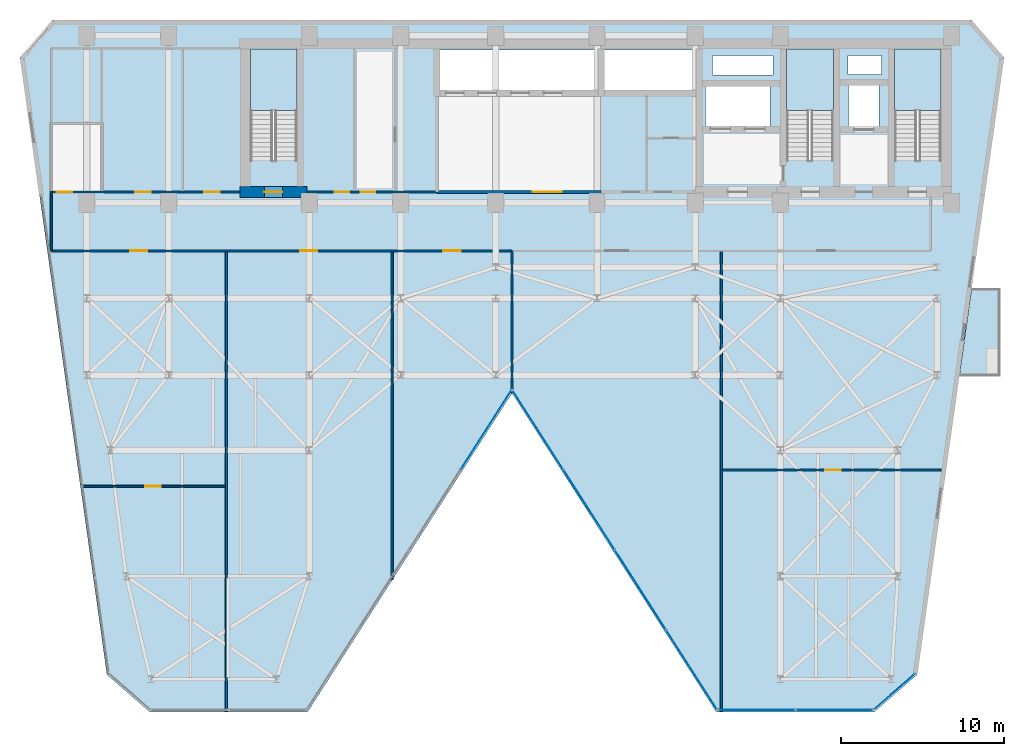
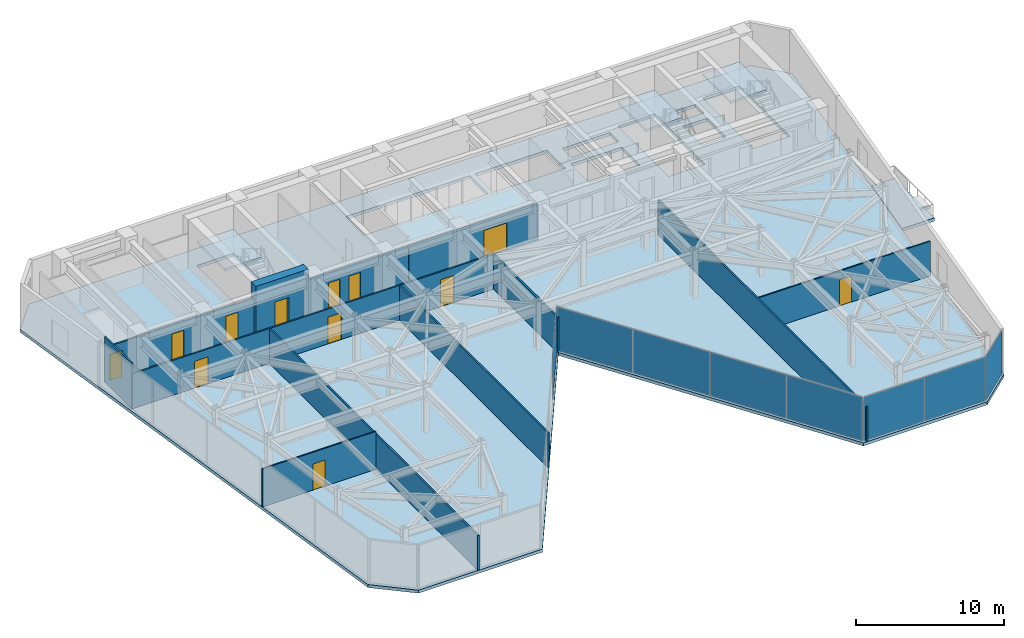
# One storey, part 21 of 26: 12 doors, 12 walls, 8 plates, 5 slabs, 12 openings, 7 elements without a shape of their own.
"""IFC4 building model written with IfcOpenShell, lengths in metres."""

from ifc_helpers import new_model, si_unit, direction, frame, frame_2d, origin, origin_2d, place, context, subcontext, project, spatial, polyline, rectangle, outline, extrude, material, layer, layer_set, type_object, element, fill, aggregate, save


model = new_model("IFC4")

# Units and contexts
model_context = context("Model", 3, precision=1e-05, world=origin(), true_north=direction((0.0, 1.0)))
body_context = subcontext(model_context, "Body", "Model", "MODEL_VIEW")
ifc_project = project(units=[si_unit("LENGTHUNIT", "METRE"), si_unit("AREAUNIT", "SQUARE_METRE"), si_unit("VOLUMEUNIT", "CUBIC_METRE"), si_unit("PLANEANGLEUNIT", "RADIAN"), si_unit("MASSUNIT", "GRAM", prefix="KILO")], contexts=[model_context])

# Site, building, storey
site_placement = place(None, origin())
site = spatial("IfcSite", under=ifc_project, at=site_placement, CompositionType="ELEMENT")
building_placement = place(site_placement, origin())
building = spatial("IfcBuilding", under=site, at=building_placement, Name="Kravanh Interchange Tower", CompositionType="ELEMENT")
storey_placement = place(building_placement, frame((0.0, 0.0, 152.0)))
storey = spatial("IfcBuildingStorey", under=building, at=storey_placement, Name="L36", CompositionType="ELEMENT", Elevation=152.0)

# Slab
ifc_material_1 = material(Name="Concrete C50/60", Category="concrete")
ifc_layer_1 = layer(ifc_material_1, 0.25)
ifc_layer_set_1 = layer_set([ifc_layer_1], Name="Composite Floor Slab Concrete C50/60 250mm")
slab_type_1 = type_object("IfcSlabType", Name="Composite Floor Slab Concrete C50/60 250mm", PredefinedType="FLOOR", material=ifc_layer_set_1)
slab_1_placement = place(storey_placement, frame((0.0, 0.0, -0.25)))
element("IfcSlab", 1, at=slab_1_placement, inside=storey, type_object=slab_type_1, Name="L36 Structural Floor Slab", PredefinedType="FLOOR", context=body_context, shape_type="SweptSolid", body=[
    extrude(outline(polyline([(14.82470703125, 8.4775390625), (17.44482421875, 6.199951171875), (27.10009765625, 6.199951171875), (39.60009765625, 25.699951171875), (52.10009765625, 6.199951171875), (61.755126953125, 6.199951171875), (64.375244140625, 8.4775390625), (69.679931640625, 46.222412109375), (67.699951171875, 48.5), (11.5, 48.5), (9.52001953125, 46.222412109375), (14.82470703125, 8.4775390625)]), holes=[polyline([(65.85009765625, 39.925048828125), (65.85009765625, 46.75), (63.0, 46.75), (63.0, 39.925048828125), (65.85009765625, 39.925048828125)]), polyline([(59.25, 39.925048828125), (59.25, 46.75), (56.39990234375, 46.75), (56.39990234375, 39.925048828125), (59.25, 39.925048828125)]), polyline([(26.449951171875, 39.925048828125), (26.449951171875, 46.75), (23.60009765625, 46.75), (23.60009765625, 39.925048828125), (26.449951171875, 39.925048828125)]), polyline([(35.179931640625, 44.219970703125), (44.840087890625, 44.219970703125), (44.840087890625, 46.699951171875), (35.179931640625, 46.699951171875), (35.179931640625, 44.219970703125)]), polyline([(45.239990234375, 44.219970703125), (50.840087890625, 44.219970703125), (50.840087890625, 46.699951171875), (45.239990234375, 46.699951171875), (45.239990234375, 44.219970703125)]), polyline([(51.419921875, 42.02001953125), (55.3798828125, 42.02001953125), (55.3798828125, 44.47998046875), (51.419921875, 44.47998046875), (51.419921875, 42.02001953125)]), polyline([(60.179931640625, 41.97998046875), (62.06005859375, 41.97998046875), (62.06005859375, 44.52001953125), (60.179931640625, 44.52001953125), (60.179931640625, 41.97998046875)]), polyline([(60.14990234375, 45.199951171875), (62.199951171875, 45.199951171875), (62.199951171875, 46.35009765625), (60.14990234375, 46.35009765625), (60.14990234375, 45.199951171875)]), polyline([(51.85009765625, 45.14990234375), (55.550048828125, 45.14990234375), (55.550048828125, 46.35009765625), (51.85009765625, 46.35009765625), (51.85009765625, 45.14990234375)])]), origin(), (0.0, 0.0, 1.0), 0.25),
])

# Stair, slab
ifc_material_2 = material(Name="Concrete C50/60", Category="concrete")
stair_type = type_object("IfcStairType", Name="Core Fire Exit Dogleg Stair Concrete C50/60", PredefinedType="HALF_TURN_STAIR", material=ifc_material_2)
stair_1_placement = place(storey_placement, origin())
stair_1 = element("IfcStair", 2, at=stair_1_placement, inside=storey, type_object=stair_type, Name="L36 Exit Stair ST1", PredefinedType="HALF_TURN_STAIR")
ifc_material_3 = material(Name="Concrete C50/60", Category="concrete")
ifc_layer_2 = layer(ifc_material_3, 0.199951171875)
ifc_layer_set_2 = layer_set([ifc_layer_2], Name="Concrete C50/60 Stair Half-Landing Slab 200mm")
slab_type_2 = type_object("IfcSlabType", Name="Concrete C50/60 Stair Half-Landing Slab 200mm", PredefinedType="LANDING", material=ifc_layer_set_2)
slab_2_placement = place(storey_placement, frame((0.0, 0.0, 1.800048828125)))
slab_2 = element("IfcSlab", 3, at=slab_2_placement, type_object=slab_type_2, Name="ST1 landing 1", PredefinedType="LANDING", context=body_context, shape_type="SweptSolid", body=[
    extrude(outline(polyline([(65.85009765625, 42.97998046875), (65.85009765625, 46.75), (63.0, 46.75), (63.0, 42.97998046875), (65.85009765625, 42.97998046875)])), origin(), (0.0, 0.0, 1.0), 0.199951171875),
])
aggregate(stair_1, [slab_2])

stair_2_placement = place(storey_placement, origin())
stair_2 = element("IfcStair", 4, at=stair_2_placement, inside=storey, type_object=stair_type, Name="L36 Exit Stair ST2", PredefinedType="HALF_TURN_STAIR")
slab_3_placement = place(storey_placement, frame((0.0, 0.0, 1.800048828125)))
slab_3 = element("IfcSlab", 5, at=slab_3_placement, type_object=slab_type_2, Name="ST2 landing 1", PredefinedType="LANDING", context=body_context, shape_type="SweptSolid", body=[
    extrude(outline(polyline([(59.25, 42.97998046875), (59.25, 46.75), (56.39990234375, 46.75), (56.39990234375, 42.97998046875), (59.25, 42.97998046875)])), origin(), (0.0, 0.0, 1.0), 0.199951171875),
])
aggregate(stair_2, [slab_3])

stair_3_placement = place(storey_placement, origin())
stair_3 = element("IfcStair", 6, at=stair_3_placement, inside=storey, type_object=stair_type, Name="L36 Exit Stair ST3", PredefinedType="HALF_TURN_STAIR")
slab_4_placement = place(storey_placement, frame((0.0, 0.0, 1.800048828125)))
slab_4 = element("IfcSlab", 7, at=slab_4_placement, type_object=slab_type_2, Name="ST3 landing 1", PredefinedType="LANDING", context=body_context, shape_type="SweptSolid", body=[
    extrude(outline(polyline([(26.449951171875, 42.97998046875), (26.449951171875, 46.75), (23.60009765625, 46.75), (23.60009765625, 42.97998046875), (26.449951171875, 42.97998046875)])), origin(), (0.0, 0.0, 1.0), 0.199951171875),
])
aggregate(stair_3, [slab_4])

# Slab
ifc_material_4 = material(Name="Concrete C50/60", Category="concrete")
ifc_layer_3 = layer(ifc_material_4, 0.199951171875)
ifc_layer_set_3 = layer_set([ifc_layer_3], Name="Planted Tree Balcony Slab Concrete C50/60 200mm")
slab_type_3 = type_object("IfcSlabType", Name="Planted Tree Balcony Slab Concrete C50/60 200mm", PredefinedType="USERDEFINED", material=ifc_layer_set_3)
slab_5_placement = place(storey_placement, frame((0.0, 0.0, -0.25)))
element("IfcSlab", 8, at=slab_5_placement, inside=storey, type_object=slab_type_3, Name="L36 East Tree Planter Balcony Slab", ObjectType="BALCONY", PredefinedType="USERDEFINED", context=body_context, shape_type="SweptSolid", body=[
    extrude(outline(polyline([(69.489990234375, 32.110107421875), (69.489990234375, 26.7099609375), (66.952880859375, 26.7099609375), (67.711669921875, 32.110107421875), (69.489990234375, 32.110107421875)])), origin(), (0.0, 0.0, 1.0), 0.25),
])

# Curtain wall, plate
ifc_material_5 = material(Name="Anodised Bronze Aluminium", Category="aluminium")
ifc_layer_4 = layer(ifc_material_5, 0.179931640625)
ifc_layer_set_4 = layer_set([ifc_layer_4], Name="Unitised Curtain Wall System CW-Z2 Mid Office")
curtain_wall_type = type_object("IfcCurtainWallType", Name="Unitised Curtain Wall System CW-Z2 Mid Office", PredefinedType="NOTDEFINED", material=ifc_layer_set_4)
curtain_wall_1_placement = place(storey_placement, origin())
curtain_wall_1 = element("IfcCurtainWall", 9, at=curtain_wall_1_placement, inside=storey, type_object=curtain_wall_type, Name="L36 Unitised Curtain Wall CW-L36-02", PredefinedType="NOTDEFINED")
ifc_material_6 = material(Name="Low-E Laminated Architectural Glass", Category="glass")
ifc_layer_5 = layer(ifc_material_6, 0.02587890625)
ifc_layer_set_5 = layer_set([ifc_layer_5], Name="Solar-Control Double Glazing 26mm")
plate_type = type_object("IfcPlateType", Name="Solar-Control Double Glazing 26mm", PredefinedType="CURTAIN_PANEL", material=ifc_layer_set_5)
plate_1_placement = place(storey_placement, frame((62.986328125, 7.429443359375, 0.06005859375), z_axis=(0.0, 0.0, 1.0), x_axis=(-0.754719458103, -0.656047665617, 0.0)))
plate_1 = element("IfcPlate", 10, at=plate_1_placement, type_object=plate_type, Name="CW-Z2 panel 1.1", PredefinedType="CURTAIN_PANEL", context=body_context, shape_type="SweptSolid", body=[
    extrude(rectangle(XDim=3.261962890625, YDim=0.02587890625, at=origin_2d()), origin(), (0.0, 0.0, 1.0), 3.60009765625),
])
aggregate(curtain_wall_1, [plate_1])

# Curtain wall, plates
curtain_wall_2_placement = place(storey_placement, origin())
curtain_wall_2 = element("IfcCurtainWall", 11, at=curtain_wall_2_placement, inside=storey, type_object=curtain_wall_type, Name="L36 Unitised Curtain Wall CW-L36-03", PredefinedType="NOTDEFINED")
plate_2_placement = place(storey_placement, frame((59.30908203125, 6.320068359375, 0.06005859375), z_axis=(0.0, 0.0, 1.0), x_axis=(-1.0, 0.0, 0.0)))
plate_2 = element("IfcPlate", 12, at=plate_2_placement, type_object=plate_type, Name="CW-Z2 panel 1.1", PredefinedType="CURTAIN_PANEL", context=body_context, shape_type="SweptSolid", body=[
    extrude(rectangle(XDim=4.682373046875, YDim=0.02587890625, at=origin_2d()), origin(), (0.0, 0.0, 1.0), 3.60009765625),
])
plate_3_placement = place(storey_placement, frame((54.566650390625, 6.320068359375, 0.06005859375), z_axis=(0.0, 0.0, 1.0), x_axis=(-1.0, 0.0, 0.0)))
plate_3 = element("IfcPlate", 13, at=plate_3_placement, type_object=plate_type, Name="CW-Z2 panel 2.1", PredefinedType="CURTAIN_PANEL", context=body_context, shape_type="SweptSolid", body=[
    extrude(rectangle(XDim=4.682373046875, YDim=0.02587890625, at=origin_2d()), origin(), (0.0, 0.0, 1.0), 3.60009765625),
])
aggregate(curtain_wall_2, [plate_2, plate_3])

curtain_wall_3_placement = place(storey_placement, origin())
curtain_wall_3 = element("IfcCurtainWall", 14, at=curtain_wall_3_placement, inside=storey, type_object=curtain_wall_type, Name="L36 Unitised Curtain Wall CW-L36-04", PredefinedType="NOTDEFINED")
plate_4_placement = place(storey_placement, frame((50.5869140625, 8.782958984375, 0.06005859375), z_axis=(0.0, 0.0, 1.0), x_axis=(-0.539664865919, 0.841879939476, 0.0)))
plate_4 = element("IfcPlate", 15, at=plate_4_placement, type_object=plate_type, Name="CW-Z2 panel 1.1", PredefinedType="CURTAIN_PANEL", context=body_context, shape_type="SweptSolid", body=[
    extrude(rectangle(XDim=5.73095703125, YDim=0.02587890625, at=origin_2d()), origin(), (0.0, 0.0, 1.0), 3.60009765625),
])
plate_5_placement = place(storey_placement, frame((47.45361328125, 13.6708984375, 0.06005859375), z_axis=(0.0, 0.0, 1.0), x_axis=(-0.539664865919, 0.841879939476, 0.0)))
plate_5 = element("IfcPlate", 16, at=plate_5_placement, type_object=plate_type, Name="CW-Z2 panel 2.1", PredefinedType="CURTAIN_PANEL", context=body_context, shape_type="SweptSolid", body=[
    extrude(rectangle(XDim=5.760986328125, YDim=0.02587890625, at=origin_2d()), origin(), (0.0, 0.0, 1.0), 3.60009765625),
])
plate_6_placement = place(storey_placement, frame((44.31201171875, 18.571533203125, 0.06005859375), z_axis=(0.0, 0.0, 1.0), x_axis=(-0.539664865919, 0.841879939476, 0.0)))
plate_6 = element("IfcPlate", 17, at=plate_6_placement, type_object=plate_type, Name="CW-Z2 panel 3.1", PredefinedType="CURTAIN_PANEL", context=body_context, shape_type="SweptSolid", body=[
    extrude(rectangle(XDim=5.760986328125, YDim=0.02587890625, at=origin_2d()), origin(), (0.0, 0.0, 1.0), 3.60009765625),
])
plate_7_placement = place(storey_placement, frame((41.1787109375, 23.45947265625, 0.06005859375), z_axis=(0.0, 0.0, 1.0), x_axis=(-0.539664865919, 0.841879939476, 0.0)))
plate_7 = element("IfcPlate", 18, at=plate_7_placement, type_object=plate_type, Name="CW-Z2 panel 4.1", PredefinedType="CURTAIN_PANEL", context=body_context, shape_type="SweptSolid", body=[
    extrude(rectangle(XDim=5.73095703125, YDim=0.02587890625, at=origin_2d()), origin(), (0.0, 0.0, 1.0), 3.60009765625),
])
aggregate(curtain_wall_3, [plate_4, plate_5, plate_6, plate_7])

# Curtain wall, plate
curtain_wall_4_placement = place(storey_placement, origin())
curtain_wall_4 = element("IfcCurtainWall", 19, at=curtain_wall_4_placement, inside=storey, type_object=curtain_wall_type, Name="L36 Unitised Curtain Wall CW-L36-05", PredefinedType="NOTDEFINED")
plate_8_placement = place(storey_placement, frame((38.021240234375, 23.45947265625, 0.06005859375), z_axis=(0.0, 0.0, 1.0), x_axis=(-0.539664865919, -0.841879939476, 0.0)))
plate_8 = element("IfcPlate", 20, at=plate_8_placement, type_object=plate_type, Name="CW-Z2 panel 1.1", PredefinedType="CURTAIN_PANEL", context=body_context, shape_type="SweptSolid", body=[
    extrude(rectangle(XDim=5.73095703125, YDim=0.02587890625, at=origin_2d()), origin(), (0.0, 0.0, 1.0), 3.60009765625),
])
aggregate(curtain_wall_4, [plate_8])

# Wall, openings, doors
ifc_material_7 = material(Name="Double Acoustic Gypsum Board and Mineral Wool")
ifc_layer_6 = layer(ifc_material_7, 0.1201171875)
ifc_layer_set_6 = layer_set([ifc_layer_6], Name="Acoustic Office Drywall Partition 120mm")
wall_type_1 = type_object("IfcWallType", Name="Acoustic Office Drywall Partition 120mm", PredefinedType="PARTITIONING", material=ifc_layer_set_6)
wall_1_placement = place(storey_placement, frame((11.419921875, 38.0, 0.0), z_axis=(0.0, 0.0, 1.0), x_axis=(1.0, 0.0, 0.0)))
wall_1 = element("IfcWall", 21, at=wall_1_placement, inside=storey, type_object=wall_type_1, Name="L36 Restroom Corridor Wall 9", PredefinedType="PARTITIONING", context=body_context, shape_type="SweptSolid", body=[
    extrude(rectangle(XDim=11.530029296875, YDim=0.1201171875, at=frame_2d((5.76513671875, 0.0))), origin(), (0.0, 0.0, 1.0), 2.864013671875),
])
opening_1_placement = place(wall_1_placement, frame((0.3427734375, 0.0, 0.0)))
opening_1 = element("IfcOpeningElement", 22, at=opening_1_placement, cuts=wall_1, Name="Opening D-95", PredefinedType="OPENING", context=body_context, shape_type="SweptSolid", body=[
    extrude(rectangle(XDim=0.949951171875, YDim=2.14990234375, at=frame_2d((0.47509765625, 1.074951171875))), frame((0.0, 0.070068359375, 0.0), z_axis=(0.0, -1.0, 0.0), x_axis=(1.0, 0.0, 0.0)), (0.0, 0.0, 1.0), 0.14013671875),
])
opening_2_placement = place(wall_1_placement, frame((5.130126953125, 0.0, 0.0)))
opening_2 = element("IfcOpeningElement", 23, at=opening_2_placement, cuts=wall_1, Name="Opening D-95", PredefinedType="OPENING", context=body_context, shape_type="SweptSolid", body=[
    extrude(rectangle(XDim=0.949951171875, YDim=2.14990234375, at=frame_2d((0.47509765625, 1.074951171875))), frame((0.0, 0.070068359375, 0.0), z_axis=(0.0, -1.0, 0.0), x_axis=(1.0, 0.0, 0.0)), (0.0, 0.0, 1.0), 0.14013671875),
])
opening_3_placement = place(wall_1_placement, frame((9.344970703125, 0.0, 0.0)))
opening_3 = element("IfcOpeningElement", 24, at=opening_3_placement, cuts=wall_1, Name="Opening D-95", PredefinedType="OPENING", context=body_context, shape_type="SweptSolid", body=[
    extrude(rectangle(XDim=0.949951171875, YDim=2.14990234375, at=frame_2d((0.47509765625, 1.074951171875))), frame((0.0, 0.070068359375, 0.0), z_axis=(0.0, -1.0, 0.0), x_axis=(1.0, 0.0, 0.0)), (0.0, 0.0, 1.0), 0.14013671875),
])
ifc_material_8 = material(Name="Laminate Solid-Core Timber", Category="wood")
door_type_1 = type_object("IfcDoorType", Name="Accessible Restroom Door 950x2150", OperationType="NOTDEFINED", PredefinedType="DOOR", material=ifc_material_8)
door_1_placement = place(opening_1_placement, origin())
door_1 = element("IfcDoor", 25, at=door_1_placement, inside=storey, type_object=door_type_1, Name="L36 Accessible WC Door", OperationType="SINGLE_SWING_RIGHT", OverallHeight=2.14990234375, OverallWidth=0.949951171875, PredefinedType="DOOR", context=body_context, shape_type="SweptSolid", body=[
    extrude(rectangle(XDim=0.949951171875, YDim=2.14990234375, at=frame_2d((0.47509765625, 1.074951171875))), frame((0.0, 0.02490234375, 0.0), z_axis=(0.0, -1.0, 0.0), x_axis=(1.0, 0.0, 0.0)), (0.0, 0.0, 1.0), 0.050048828125),
])
fill(opening_1, door_1)
door_2_placement = place(opening_2_placement, origin())
door_2 = element("IfcDoor", 26, at=door_2_placement, inside=storey, type_object=door_type_1, Name="L36 Female WC Door", OperationType="SINGLE_SWING_LEFT", OverallHeight=2.14990234375, OverallWidth=0.949951171875, PredefinedType="DOOR", context=body_context, shape_type="SweptSolid", body=[
    extrude(rectangle(XDim=0.949951171875, YDim=2.14990234375, at=frame_2d((0.47509765625, 1.074951171875))), frame((0.0, 0.02490234375, 0.0), z_axis=(0.0, -1.0, 0.0), x_axis=(1.0, 0.0, 0.0)), (0.0, 0.0, 1.0), 0.050048828125),
])
fill(opening_2, door_2)
door_3_placement = place(opening_3_placement, origin())
door_3 = element("IfcDoor", 27, at=door_3_placement, inside=storey, type_object=door_type_1, Name="L36 Male WC Door", OperationType="SINGLE_SWING_RIGHT", OverallHeight=2.14990234375, OverallWidth=0.949951171875, PredefinedType="DOOR", context=body_context, shape_type="SweptSolid", body=[
    extrude(rectangle(XDim=0.949951171875, YDim=2.14990234375, at=frame_2d((0.47509765625, 1.074951171875))), frame((0.0, 0.02490234375, 0.0), z_axis=(0.0, -1.0, 0.0), x_axis=(1.0, 0.0, 0.0)), (0.0, 0.0, 1.0), 0.050048828125),
])
fill(opening_3, door_3)

wall_2_placement = place(storey_placement, frame((11.419921875, 34.39990234375, 0.0), z_axis=(0.0, 0.0, 1.0), x_axis=(1.0, 0.0, 0.0)))
wall_2 = element("IfcWall", 28, at=wall_2_placement, inside=storey, type_object=wall_type_1, Name="L36 Interior Partition 15", PredefinedType="PARTITIONING", context=body_context, shape_type="SweptSolid", body=[
    extrude(rectangle(XDim=28.18017578125, YDim=0.1201171875, at=frame_2d((14.090087890625, 0.0))), origin(), (0.0, 0.0, 1.0), 2.864013671875),
])
opening_4_placement = place(wall_2_placement, frame((4.830078125, 0.0, 0.0)))
opening_4 = element("IfcOpeningElement", 29, at=opening_4_placement, cuts=wall_2, Name="Opening D-105", PredefinedType="OPENING", context=body_context, shape_type="SweptSolid", body=[
    extrude(rectangle(XDim=1.050048828125, YDim=2.199951171875, at=frame_2d((0.52490234375, 1.10009765625))), frame((0.0, 0.070068359375, 0.0), z_axis=(0.0, -1.0, 0.0), x_axis=(1.0, 0.0, 0.0)), (0.0, 0.0, 1.0), 0.14013671875),
])
opening_5_placement = place(wall_2_placement, frame((15.21484375, 0.0, 0.0)))
opening_5 = element("IfcOpeningElement", 30, at=opening_5_placement, cuts=wall_2, Name="Opening D-105", PredefinedType="OPENING", context=body_context, shape_type="SweptSolid", body=[
    extrude(rectangle(XDim=1.050048828125, YDim=2.199951171875, at=frame_2d((0.52490234375, 1.10009765625))), frame((0.0, 0.070068359375, 0.0), z_axis=(0.0, -1.0, 0.0), x_axis=(1.0, 0.0, 0.0)), (0.0, 0.0, 1.0), 0.14013671875),
])
opening_6_placement = place(wall_2_placement, frame((23.989990234375, 0.0, 0.0)))
opening_6 = element("IfcOpeningElement", 31, at=opening_6_placement, cuts=wall_2, Name="Opening D-105", PredefinedType="OPENING", context=body_context, shape_type="SweptSolid", body=[
    extrude(rectangle(XDim=1.050048828125, YDim=2.199951171875, at=frame_2d((0.52490234375, 1.10009765625))), frame((0.0, 0.070068359375, 0.0), z_axis=(0.0, -1.0, 0.0), x_axis=(1.0, 0.0, 0.0)), (0.0, 0.0, 1.0), 0.14013671875),
])
ifc_material_9 = material(Name="Acoustic Glazed Oak and Aluminium", Category="aluminium")
door_type_2 = type_object("IfcDoorType", Name="Office Workplace Door 1050x2200", OperationType="NOTDEFINED", PredefinedType="DOOR", material=ifc_material_9)
door_4_placement = place(opening_4_placement, origin())
door_4 = element("IfcDoor", 32, at=door_4_placement, inside=storey, type_object=door_type_2, Name="L36 West Conference Lounge Door", OperationType="SINGLE_SWING_LEFT", OverallHeight=2.199951171875, OverallWidth=1.050048828125, PredefinedType="DOOR", context=body_context, shape_type="SweptSolid", body=[
    extrude(rectangle(XDim=1.050048828125, YDim=2.199951171875, at=frame_2d((0.52490234375, 1.10009765625))), frame((0.0, 0.02490234375, 0.0), z_axis=(0.0, -1.0, 0.0), x_axis=(1.0, 0.0, 0.0)), (0.0, 0.0, 1.0), 0.050048828125),
])
fill(opening_4, door_4)
door_5_placement = place(opening_5_placement, origin())
door_5 = element("IfcDoor", 33, at=door_5_placement, inside=storey, type_object=door_type_2, Name="L36 West Club Lounge Door", OperationType="SINGLE_SWING_LEFT", OverallHeight=2.199951171875, OverallWidth=1.050048828125, PredefinedType="DOOR", context=body_context, shape_type="SweptSolid", body=[
    extrude(rectangle(XDim=1.050048828125, YDim=2.199951171875, at=frame_2d((0.52490234375, 1.10009765625))), frame((0.0, 0.02490234375, 0.0), z_axis=(0.0, -1.0, 0.0), x_axis=(1.0, 0.0, 0.0)), (0.0, 0.0, 1.0), 0.050048828125),
])
fill(opening_5, door_5)
door_6_placement = place(opening_6_placement, origin())
door_6 = element("IfcDoor", 34, at=door_6_placement, inside=storey, type_object=door_type_2, Name="L36 Project Huddle Meeting Door", OperationType="SINGLE_SWING_RIGHT", OverallHeight=2.199951171875, OverallWidth=1.050048828125, PredefinedType="DOOR", context=body_context, shape_type="SweptSolid", body=[
    extrude(rectangle(XDim=1.050048828125, YDim=2.199951171875, at=frame_2d((0.52490234375, 1.10009765625))), frame((0.0, 0.02490234375, 0.0), z_axis=(0.0, -1.0, 0.0), x_axis=(1.0, 0.0, 0.0)), (0.0, 0.0, 1.0), 0.050048828125),
])
fill(opening_6, door_6)

# Walls
wall_3_placement = place(storey_placement, frame((11.419921875, 34.39990234375, 0.0), z_axis=(0.0, 0.0, 1.0), x_axis=(0.0, 1.0, 0.0)))
element("IfcWall", 35, at=wall_3_placement, inside=storey, type_object=wall_type_1, Name="L36 Interior Partition 17", PredefinedType="PARTITIONING", context=body_context, shape_type="SweptSolid", body=[
    extrude(rectangle(XDim=3.650146484375, YDim=0.1201171875, at=frame_2d((1.8251953125, 0.0))), origin(), (0.0, 0.0, 1.0), 3.719970703125),
])
wall_4_placement = place(storey_placement, frame((39.60009765625, 25.727783203125, 0.0), z_axis=(0.0, 0.0, 1.0), x_axis=(0.0, 1.0, 0.0)))
element("IfcWall", 36, at=wall_4_placement, inside=storey, type_object=wall_type_1, Name="L36 Interior Partition 19", PredefinedType="PARTITIONING", context=body_context, shape_type="SweptSolid", body=[
    extrude(rectangle(XDim=8.672119140625, YDim=0.1201171875, at=frame_2d((4.3359375, 0.0))), origin(), (0.0, 0.0, 1.0), 2.864013671875),
])
wall_5_placement = place(storey_placement, frame((22.1298828125, 6.215087890625, 0.0), z_axis=(0.0, 0.0, 1.0), x_axis=(0.0, 1.0, 0.0)))
element("IfcWall", 37, at=wall_5_placement, inside=storey, type_object=wall_type_1, Name="L36 Interior Partition 21", PredefinedType="PARTITIONING", context=body_context, shape_type="SweptSolid", body=[
    extrude(rectangle(XDim=28.116943359375, YDim=0.1201171875, at=frame_2d((14.05859375, 0.0))), origin(), (0.0, 0.0, 1.0), 2.864013671875),
])
wall_6_placement = place(storey_placement, frame((32.27001953125, 14.29296875, 0.0), z_axis=(0.0, 0.0, 1.0), x_axis=(0.0, 1.0, 0.0)))
element("IfcWall", 38, at=wall_6_placement, inside=storey, type_object=wall_type_1, Name="L36 Interior Partition 22", PredefinedType="PARTITIONING", context=body_context, shape_type="SweptSolid", body=[
    extrude(rectangle(XDim=20.0390625, YDim=0.1201171875, at=frame_2d((10.01953125, 0.0))), origin(), (0.0, 0.0, 1.0), 2.864013671875),
])
wall_7_placement = place(storey_placement, frame((52.39990234375, 6.215087890625, 0.0), z_axis=(0.0, 0.0, 1.0), x_axis=(0.0, 1.0, 0.0)))
element("IfcWall", 39, at=wall_7_placement, inside=storey, type_object=wall_type_1, Name="L36 Interior Partition 23", PredefinedType="PARTITIONING", context=body_context, shape_type="SweptSolid", body=[
    extrude(rectangle(XDim=28.116943359375, YDim=0.1201171875, at=frame_2d((14.05859375, 0.0))), origin(), (0.0, 0.0, 1.0), 2.864013671875),
])

# Wall, opening, door
ifc_material_10 = material(Name="Concrete C70/85", Category="concrete")
ifc_layer_7 = layer(ifc_material_10, 0.64990234375)
ifc_layer_set_7 = layer_set([ifc_layer_7], Name="Core Shear Wall Concrete C70/85 650mm")
wall_type_2 = type_object("IfcWallType", Name="Core Shear Wall Concrete C70/85 650mm", PredefinedType="SHEAR", material=ifc_layer_set_7)
wall_8_placement = place(storey_placement, frame((22.949951171875, 38.0, 0.0), z_axis=(0.0, 0.0, 1.0), x_axis=(1.0, 0.0, 0.0)))
wall_8 = element("IfcWall", 40, at=wall_8_placement, inside=storey, type_object=wall_type_2, Name="L36 Stair ST3 South Shear Wall", PredefinedType="SHEAR", context=body_context, shape_type="SweptSolid", body=[
    extrude(rectangle(XDim=4.10009765625, YDim=0.64990234375, at=frame_2d((2.050048828125, 0.0))), origin(), (0.0, 0.0, 1.0), 4.0),
])
opening_7_placement = place(wall_8_placement, frame((1.5, 0.0, 0.0)))
opening_7 = element("IfcOpeningElement", 41, at=opening_7_placement, cuts=wall_8, Name="Opening D-STAIR-110", PredefinedType="OPENING", context=body_context, shape_type="SweptSolid", body=[
    extrude(rectangle(XDim=1.10009765625, YDim=2.199951171875, at=frame_2d((0.550048828125, 1.10009765625))), frame((0.0, 0.3349609375, 0.0), z_axis=(0.0, -1.0, 0.0), x_axis=(1.0, 0.0, 0.0)), (0.0, 0.0, 1.0), 0.669921875),
])
ifc_material_11 = material(Name="Structural Steel S355", Category="steel")
door_type_3 = type_object("IfcDoorType", Name="Fire-Rated Exit Stair Door 1100x2200", OperationType="NOTDEFINED", PredefinedType="DOOR", material=ifc_material_11)
door_7_placement = place(opening_7_placement, origin())
door_7 = element("IfcDoor", 42, at=door_7_placement, inside=storey, type_object=door_type_3, Name="L36 Exit Stair ST3 Door", OperationType="SINGLE_SWING_RIGHT", OverallHeight=2.199951171875, OverallWidth=1.10009765625, PredefinedType="DOOR", context=body_context, shape_type="SweptSolid", body=[
    extrude(rectangle(XDim=1.10009765625, YDim=2.199951171875, at=frame_2d((0.550048828125, 1.10009765625))), frame((0.0, 0.02490234375, 0.0), z_axis=(0.0, -1.0, 0.0), x_axis=(1.0, 0.0, 0.0)), (0.0, 0.0, 1.0), 0.050048828125),
])
fill(opening_7, door_7)

ifc_material_12 = material(Name="Moisture-Resistant Gypsum Board and Mineral Wool")
ifc_layer_8 = layer(ifc_material_12, 0.10009765625)
ifc_layer_set_8 = layer_set([ifc_layer_8], Name="En-Suite Moisture-Resistant Partition 100mm")
wall_type_3 = type_object("IfcWallType", Name="En-Suite Moisture-Resistant Partition 100mm", PredefinedType="PARTITIONING", material=ifc_layer_set_8)
wall_9_placement = place(storey_placement, frame((13.220703125, 20.0, 0.0), z_axis=(0.0, 0.0, 1.0), x_axis=(1.0, 0.0, 0.0)))
wall_9 = element("IfcWall", 43, at=wall_9_placement, inside=storey, type_object=wall_type_3, Name="L36 Interior Partition 20", PredefinedType="PARTITIONING", context=body_context, shape_type="SweptSolid", body=[
    extrude(rectangle(XDim=8.84130859375, YDim=0.10009765625, at=frame_2d((4.420654296875, 0.0))), origin(), (0.0, 0.0, 1.0), 3.112060546875),
])
opening_8_placement = place(wall_9_placement, frame((3.939453125, 0.0, 0.0)))
opening_8 = element("IfcOpeningElement", 44, at=opening_8_placement, cuts=wall_9, Name="Opening D-95", PredefinedType="OPENING", context=body_context, shape_type="SweptSolid", body=[
    extrude(rectangle(XDim=0.949951171875, YDim=2.14990234375, at=frame_2d((0.47509765625, 1.074951171875))), frame((0.0, 0.06005859375, 0.0), z_axis=(0.0, -1.0, 0.0), x_axis=(1.0, 0.0, 0.0)), (0.0, 0.0, 1.0), 0.1201171875),
])
door_8_placement = place(opening_8_placement, origin())
door_8 = element("IfcDoor", 45, at=door_8_placement, inside=storey, type_object=door_type_1, Name="L36 SW Review Meeting Inner Door", OperationType="SINGLE_SWING_RIGHT", OverallHeight=2.14990234375, OverallWidth=0.949951171875, PredefinedType="DOOR", context=body_context, shape_type="SweptSolid", body=[
    extrude(rectangle(XDim=0.949951171875, YDim=2.14990234375, at=frame_2d((0.47509765625, 1.074951171875))), frame((0.0, 0.02490234375, 0.0), z_axis=(0.0, -1.0, 0.0), x_axis=(1.0, 0.0, 0.0)), (0.0, 0.0, 1.0), 0.050048828125),
])
fill(opening_8, door_8)

wall_10_placement = place(storey_placement, frame((52.468017578125, 21.0, 0.0), z_axis=(0.0, 0.0, 1.0), x_axis=(1.0, 0.0, 0.0)))
wall_10 = element("IfcWall", 46, at=wall_10_placement, inside=storey, type_object=wall_type_3, Name="L36 Interior Partition 24", PredefinedType="PARTITIONING", context=body_context, shape_type="SweptSolid", body=[
    extrude(rectangle(XDim=13.37939453125, YDim=0.10009765625, at=frame_2d((6.689697265625, 0.0))), origin(), (0.0, 0.0, 1.0), 2.864013671875),
])
opening_9_placement = place(wall_10_placement, frame((6.27685546875, 0.0, 0.0)))
opening_9 = element("IfcOpeningElement", 47, at=opening_9_placement, cuts=wall_10, Name="Opening D-95", PredefinedType="OPENING", context=body_context, shape_type="SweptSolid", body=[
    extrude(rectangle(XDim=0.949951171875, YDim=2.14990234375, at=frame_2d((0.47509765625, 1.074951171875))), frame((0.0, 0.06005859375, 0.0), z_axis=(0.0, -1.0, 0.0), x_axis=(1.0, 0.0, 0.0)), (0.0, 0.0, 1.0), 0.1201171875),
])
door_9_placement = place(opening_9_placement, origin())
door_9 = element("IfcDoor", 48, at=door_9_placement, inside=storey, type_object=door_type_1, Name="L36 Breakout Tea Kitchenette Inner Door", OperationType="SINGLE_SWING_RIGHT", OverallHeight=2.14990234375, OverallWidth=0.949951171875, PredefinedType="DOOR", context=body_context, shape_type="SweptSolid", body=[
    extrude(rectangle(XDim=0.949951171875, YDim=2.14990234375, at=frame_2d((0.47509765625, 1.074951171875))), frame((0.0, 0.02490234375, 0.0), z_axis=(0.0, -1.0, 0.0), x_axis=(1.0, 0.0, 0.0)), (0.0, 0.0, 1.0), 0.050048828125),
])
fill(opening_9, door_9)

ifc_material_13 = material(Name="Autoclaved Aerated Concrete C30/37 Blockwork", Category="masonry")
ifc_layer_9 = layer(ifc_material_13, 0.179931640625)
ifc_layer_set_9 = layer_set([ifc_layer_9], Name="Fire-Rated Lobby and Corridor Wall Concrete C30/37 180mm")
wall_type_4 = type_object("IfcWallType", Name="Fire-Rated Lobby and Corridor Wall Concrete C30/37 180mm", PredefinedType="STANDARD", material=ifc_layer_set_9)
wall_11_placement = place(storey_placement, frame((35.0, 38.0, 0.0), z_axis=(0.0, 0.0, 1.0), x_axis=(1.0, 0.0, 0.0)))
wall_11 = element("IfcWall", 49, at=wall_11_placement, inside=storey, type_object=wall_type_4, Name="L36 Interior Partition 8", PredefinedType="STANDARD", context=body_context, shape_type="SweptSolid", body=[
    extrude(rectangle(XDim=10.050048828125, YDim=0.179931640625, at=frame_2d((5.02490234375, 0.0))), origin(), (0.0, 0.0, 1.0), 2.864013671875),
])
opening_10_placement = place(wall_11_placement, frame((5.85791015625, 0.0, 0.0)))
opening_10 = element("IfcOpeningElement", 50, at=opening_10_placement, cuts=wall_11, Name="Opening DBL-180", PredefinedType="OPENING", context=body_context, shape_type="SweptSolid", body=[
    extrude(rectangle(XDim=1.800048828125, YDim=2.199951171875, at=frame_2d((0.89990234375, 1.10009765625))), frame((0.0, 0.10009765625, 0.0), z_axis=(0.0, -1.0, 0.0), x_axis=(1.0, 0.0, 0.0)), (0.0, 0.0, 1.0), 0.199951171875),
])
ifc_material_14 = material(Name="Structural Steel S355", Category="steel")
door_type_4 = type_object("IfcDoorType", Name="Lift Lobby Double Fire Door 1800x2200", OperationType="DOUBLE_DOOR_SINGLE_SWING", PredefinedType="DOOR", material=ifc_material_14)
door_10_placement = place(opening_10_placement, origin())
door_10 = element("IfcDoor", 51, at=door_10_placement, inside=storey, type_object=door_type_4, Name="L36 Mid-Rise Lift Lobby Door", OperationType="DOUBLE_DOOR_SINGLE_SWING", OverallHeight=2.199951171875, OverallWidth=1.800048828125, PredefinedType="DOOR", context=body_context, shape_type="SweptSolid", body=[
    extrude(rectangle(XDim=1.800048828125, YDim=2.199951171875, at=frame_2d((0.89990234375, 1.10009765625))), frame((0.0, 0.02490234375, 0.0), z_axis=(0.0, -1.0, 0.0), x_axis=(1.0, 0.0, 0.0)), (0.0, 0.0, 1.0), 0.050048828125),
])
fill(opening_10, door_10)

# Wall, openings, doors
ifc_material_15 = material(Name="Twin Stud Acoustic Gypsum Board Wall")
ifc_layer_10 = layer(ifc_material_15, 0.14990234375)
ifc_layer_set_10 = layer_set([ifc_layer_10], Name="Medium-Duty Acoustic Partition 150mm")
wall_type_5 = type_object("IfcWallType", Name="Medium-Duty Acoustic Partition 150mm", PredefinedType="PARTITIONING", material=ifc_layer_set_10)
wall_12_placement = place(storey_placement, frame((27.050048828125, 38.0, 0.0), z_axis=(0.0, 0.0, 1.0), x_axis=(1.0, 0.0, 0.0)))
wall_12 = element("IfcWall", 52, at=wall_12_placement, inside=storey, type_object=wall_type_5, Name="L36 Interior Partition 4", PredefinedType="PARTITIONING", context=body_context, shape_type="SweptSolid", body=[
    extrude(rectangle(XDim=7.949951171875, YDim=0.14990234375, at=frame_2d((3.97509765625, 0.0))), origin(), (0.0, 0.0, 1.0), 2.864013671875),
])
opening_11_placement = place(wall_12_placement, frame((1.699951171875, 0.0, 0.0)))
opening_11 = element("IfcOpeningElement", 53, at=opening_11_placement, cuts=wall_12, Name="Opening D-90", PredefinedType="OPENING", context=body_context, shape_type="SweptSolid", body=[
    extrude(rectangle(XDim=0.89990234375, YDim=2.10009765625, at=frame_2d((0.449951171875, 1.050048828125))), frame((0.0, 0.0849609375, 0.0), z_axis=(0.0, -1.0, 0.0), x_axis=(1.0, 0.0, 0.0)), (0.0, 0.0, 1.0), 0.169921875),
])
opening_12_placement = place(wall_12_placement, frame((3.300048828125, 0.0, 0.0)))
opening_12 = element("IfcOpeningElement", 54, at=opening_12_placement, cuts=wall_12, Name="Opening D-90", PredefinedType="OPENING", context=body_context, shape_type="SweptSolid", body=[
    extrude(rectangle(XDim=0.89990234375, YDim=2.10009765625, at=frame_2d((0.449951171875, 1.050048828125))), frame((0.0, 0.0849609375, 0.0), z_axis=(0.0, -1.0, 0.0), x_axis=(1.0, 0.0, 0.0)), (0.0, 0.0, 1.0), 0.169921875),
])
ifc_material_16 = material(Name="Painted Solid-Core Timber", Category="wood")
door_type_5 = type_object("IfcDoorType", Name="Service Room Door 900x2100", OperationType="NOTDEFINED", PredefinedType="DOOR", material=ifc_material_16)
door_11_placement = place(opening_11_placement, origin())
door_11 = element("IfcDoor", 55, at=door_11_placement, inside=storey, type_object=door_type_5, Name="L36 First Aid Lobby Door", OperationType="SINGLE_SWING_LEFT", OverallHeight=2.10009765625, OverallWidth=0.89990234375, PredefinedType="DOOR", context=body_context, shape_type="SweptSolid", body=[
    extrude(rectangle(XDim=0.89990234375, YDim=2.10009765625, at=frame_2d((0.449951171875, 1.050048828125))), frame((0.0, 0.02490234375, 0.0), z_axis=(0.0, -1.0, 0.0), x_axis=(1.0, 0.0, 0.0)), (0.0, 0.0, 1.0), 0.050048828125),
])
fill(opening_11, door_11)
door_12_placement = place(opening_12_placement, origin())
door_12 = element("IfcDoor", 56, at=door_12_placement, inside=storey, type_object=door_type_5, Name="L36 Lactation Suite Door", OperationType="SINGLE_SWING_RIGHT", OverallHeight=2.10009765625, OverallWidth=0.89990234375, PredefinedType="DOOR", context=body_context, shape_type="SweptSolid", body=[
    extrude(rectangle(XDim=0.89990234375, YDim=2.10009765625, at=frame_2d((0.449951171875, 1.050048828125))), frame((0.0, 0.02490234375, 0.0), z_axis=(0.0, -1.0, 0.0), x_axis=(1.0, 0.0, 0.0)), (0.0, 0.0, 1.0), 0.050048828125),
])
fill(opening_12, door_12)

save(model, "model.ifc")
